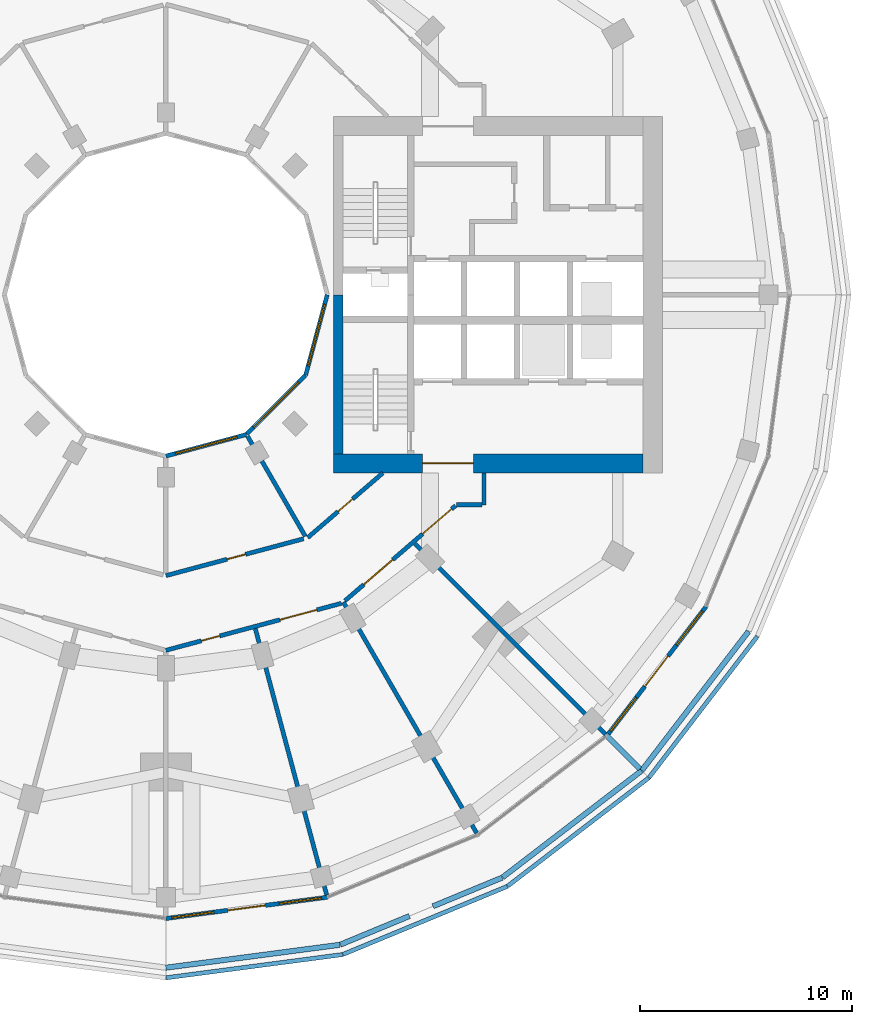
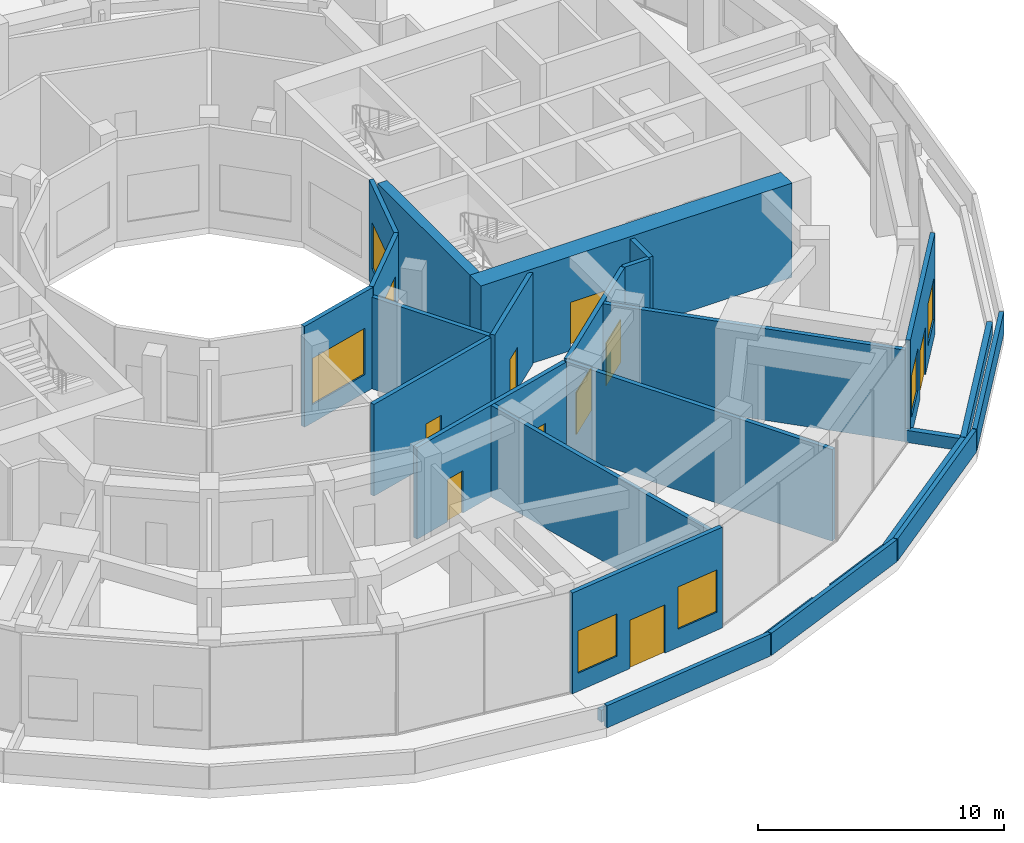
# One storey, part 13 of 19: 27 walls, 9 doors, 7 windows, 16 openings.
"""IFC4 building model written with IfcOpenShell, lengths in metres."""

from ifc_helpers import new_model, si_unit, direction, frame, frame_2d, origin, place, context, subcontext, project, spatial, rectangle, extrude, material, layer, layer_set, type_object, element, fill, save


model = new_model("IFC4")

# Units and contexts
model_context = context("Model", 3, precision=1e-05, world=origin(), true_north=direction((0.0, 1.0)))
body_context = subcontext(model_context, "Body", "Model", "MODEL_VIEW")
ifc_project = project(units=[si_unit("LENGTHUNIT", "METRE"), si_unit("AREAUNIT", "SQUARE_METRE"), si_unit("VOLUMEUNIT", "CUBIC_METRE"), si_unit("PLANEANGLEUNIT", "RADIAN"), si_unit("MASSUNIT", "GRAM", prefix="KILO")], contexts=[model_context])

# Site, building, storey
site_placement = place(None, origin())
site = spatial("IfcSite", under=ifc_project, at=site_placement, CompositionType="ELEMENT")
building_placement = place(site_placement, origin())
building = spatial("IfcBuilding", under=site, at=building_placement, Name="Torre Brocal", CompositionType="ELEMENT")
storey_placement = place(building_placement, frame((0.0, 0.0, 23.800048828125)))
storey = spatial("IfcBuildingStorey", under=building, at=storey_placement, Name="L04", CompositionType="ELEMENT", Elevation=23.800048828125)

# Wall
ifc_material_1 = material(Name="Concrete C80", Category="concrete")
ifc_layer_1 = layer(ifc_material_1, 0.449951171875)
ifc_layer_set_1 = layer_set([ifc_layer_1], Name="Concrete C80")
wall_type_1 = type_object("IfcWallType", Name="CORE WALL 450 C80", PredefinedType="SHEAR", material=ifc_layer_set_1)
wall_1_placement = place(storey_placement, frame((88.125, 67.5, 0.0), z_axis=(0.0, 0.0, 1.0), x_axis=(0.0, 1.0, 0.0)))
element("IfcWall", 1, at=wall_1_placement, inside=storey, type_object=wall_type_1, Name="Wall CW450-80", PredefinedType="SHEAR", context=body_context, shape_type="SweptSolid", body=[
    extrude(rectangle(XDim=7.5, YDim=0.449951171875, at=frame_2d((3.75, 0.0))), origin(), (0.0, 0.0, 1.0), 4.679931640625),
])

# Wall, opening, door
ifc_material_2 = material(Name="Concrete C80", Category="concrete")
ifc_layer_2 = layer(ifc_material_2, 0.89990234375)
ifc_layer_set_2 = layer_set([ifc_layer_2], Name="Concrete C80")
wall_type_2 = type_object("IfcWallType", Name="CORE WALL 900 C80", PredefinedType="SHEAR", material=ifc_layer_set_2)
wall_2_placement = place(storey_placement, frame((87.89990234375, 67.050048828125, 0.0), z_axis=(0.0, 0.0, 1.0), x_axis=(1.0, 0.0, 0.0)))
wall_2 = element("IfcWall", 2, at=wall_2_placement, inside=storey, type_object=wall_type_2, Name="Wall CW900-80", PredefinedType="SHEAR", context=body_context, shape_type="SweptSolid", body=[
    extrude(rectangle(XDim=14.60009765625, YDim=0.89990234375, at=frame_2d((7.300048828125, 0.0))), origin(), (0.0, 0.0, 1.0), 4.679931640625),
])
opening_1_placement = place(wall_2_placement, frame((4.199951171875, 0.0, 0.0)))
opening_1 = element("IfcOpeningElement", 3, at=opening_1_placement, cuts=wall_2, Name="Opening E-D27", PredefinedType="OPENING", context=body_context, shape_type="SweptSolid", body=[
    extrude(rectangle(XDim=2.39990234375, YDim=2.39990234375, at=frame_2d((1.199951171875, 1.199951171875))), frame((0.0, 0.4599609375, 0.0), z_axis=(0.0, -1.0, 0.0), x_axis=(1.0, 0.0, 0.0)), (0.0, 0.0, 1.0), 0.919921875),
])
ifc_material_3 = material(Name="Steel A653", Category="steel")
door_type_1 = type_object("IfcDoorType", Name="DOUBLE FIRE DOOR FD90 2400X2400", OperationType="DOUBLE_DOOR_SINGLE_SWING", PredefinedType="DOOR", material=ifc_material_3)
door_1_placement = place(opening_1_placement, origin())
door_1 = element("IfcDoor", 4, at=door_1_placement, inside=storey, type_object=door_type_1, Name="Door E-D27", OperationType="DOUBLE_DOOR_SINGLE_SWING", OverallHeight=2.39990234375, OverallWidth=2.39990234375, PredefinedType="DOOR", context=body_context, shape_type="SweptSolid", body=[
    extrude(rectangle(XDim=2.39990234375, YDim=2.39990234375, at=frame_2d((1.199951171875, 1.199951171875))), frame((0.0, 0.02490234375, 0.0), z_axis=(0.0, -1.0, 0.0), x_axis=(1.0, 0.0, 0.0)), (0.0, 0.0, 1.0), 0.050048828125),
])
fill(opening_1, door_1)

# Wall, openings, windows, door
ifc_material_4 = material(Name="Concrete C40", Category="concrete")
ifc_layer_3 = layer(ifc_material_4, 0.199951171875)
ifc_layer_set_3 = layer_set([ifc_layer_3], Name="Concrete C40")
wall_type_3 = type_object("IfcWallType", Name="EXTERNAL WALL 200", PredefinedType="NOTDEFINED", material=ifc_layer_set_3)
wall_3_placement = place(storey_placement, frame((80.0, 45.600830078125, 0.0), z_axis=(0.0, 0.0, 1.0), x_axis=(0.991445739805, 0.130519519698, 0.0)))
wall_3 = element("IfcWall", 5, at=wall_3_placement, inside=storey, type_object=wall_type_3, Name="EXTERNAL WALL", PredefinedType="NOTDEFINED", context=body_context, shape_type="SweptSolid", body=[
    extrude(rectangle(XDim=7.6748046875, YDim=0.199951171875, at=frame_2d((3.83740234375, 0.0))), origin(), (0.0, 0.0, 1.0), 5.0),
])
opening_2_placement = place(wall_3_placement, frame((0.279052734375, 0.0, 0.89990234375)))
opening_2 = element("IfcOpeningElement", 6, at=opening_2_placement, cuts=wall_3, Name="Opening W8", PredefinedType="OPENING", context=body_context, shape_type="SweptSolid", body=[
    extrude(rectangle(XDim=2.0, YDim=2.10009765625, at=frame_2d((1.0, 1.050048828125))), frame((0.0, 0.10986328125, 0.0), z_axis=(0.0, -1.0, 0.0), x_axis=(1.0, 0.0, 0.0)), (0.0, 0.0, 1.0), 0.219970703125),
])
opening_3_placement = place(wall_3_placement, frame((2.937255859375, 0.0, 0.0)))
opening_3 = element("IfcOpeningElement", 7, at=opening_3_placement, cuts=wall_3, Name="Opening L04-E07", PredefinedType="OPENING", context=body_context, shape_type="SweptSolid", body=[
    extrude(rectangle(XDim=1.800048828125, YDim=2.39990234375, at=frame_2d((0.89990234375, 1.199951171875))), frame((0.0, 0.10986328125, 0.0), z_axis=(0.0, -1.0, 0.0), x_axis=(1.0, 0.0, 0.0)), (0.0, 0.0, 1.0), 0.219970703125),
])
opening_4_placement = place(wall_3_placement, frame((5.3955078125, 0.0, 0.89990234375)))
opening_4 = element("IfcOpeningElement", 8, at=opening_4_placement, cuts=wall_3, Name="Opening W8", PredefinedType="OPENING", context=body_context, shape_type="SweptSolid", body=[
    extrude(rectangle(XDim=2.0, YDim=2.10009765625, at=frame_2d((1.0, 1.050048828125))), frame((0.0, 0.10986328125, 0.0), z_axis=(0.0, -1.0, 0.0), x_axis=(1.0, 0.0, 0.0)), (0.0, 0.0, 1.0), 0.219970703125),
])
ifc_material_5 = material(Name="Aluminium and glass", Category="aluminium")
window_type_1 = type_object("IfcWindowType", Name="PODIUM WINDOW 2000X2100", PartitioningType="SINGLE_PANEL", PredefinedType="WINDOW", material=ifc_material_5)
window_1_placement = place(opening_2_placement, origin())
window_1 = element("IfcWindow", 9, at=window_1_placement, inside=storey, type_object=window_type_1, Name="PODIUM WINDOW 2000X2100", OverallHeight=2.10009765625, OverallWidth=2.0, PartitioningType="SINGLE_PANEL", PredefinedType="WINDOW", context=body_context, shape_type="SweptSolid", body=[
    extrude(rectangle(XDim=2.0, YDim=2.10009765625, at=frame_2d((1.0, 1.050048828125))), frame((0.0, 0.030029296875, 0.0), z_axis=(0.0, -1.0, 0.0), x_axis=(1.0, 0.0, 0.0)), (0.0, 0.0, 1.0), 0.06005859375),
])
fill(opening_2, window_1)
window_2_placement = place(opening_4_placement, origin())
window_2 = element("IfcWindow", 10, at=window_2_placement, inside=storey, type_object=window_type_1, Name="PODIUM WINDOW 2000X2100", OverallHeight=2.10009765625, OverallWidth=2.0, PartitioningType="SINGLE_PANEL", PredefinedType="WINDOW", context=body_context, shape_type="SweptSolid", body=[
    extrude(rectangle(XDim=2.0, YDim=2.10009765625, at=frame_2d((1.0, 1.050048828125))), frame((0.0, 0.030029296875, 0.0), z_axis=(0.0, -1.0, 0.0), x_axis=(1.0, 0.0, 0.0)), (0.0, 0.0, 1.0), 0.06005859375),
])
fill(opening_4, window_2)
ifc_material_6 = material(Name="Aluminium and glass", Category="aluminium")
door_type_2 = type_object("IfcDoorType", Name="TERRACE DOUBLE DOOR 1800X2400", OperationType="DOUBLE_DOOR_SINGLE_SWING", PredefinedType="DOOR", material=ifc_material_6)
door_2_placement = place(opening_3_placement, frame((1.800048828125, 0.0, 0.0), z_axis=(0.0, 0.0, 1.0), x_axis=(-1.0, 0.0, 0.0)))
door_2 = element("IfcDoor", 11, at=door_2_placement, inside=storey, type_object=door_type_2, Name="DOOR L04-E07", OperationType="DOUBLE_DOOR_SINGLE_SWING", OverallHeight=2.39990234375, OverallWidth=1.800048828125, PredefinedType="DOOR", context=body_context, shape_type="SweptSolid", body=[
    extrude(rectangle(XDim=1.800048828125, YDim=2.39990234375, at=frame_2d((0.89990234375, 1.199951171875))), frame((0.0, 0.02490234375, 0.0), z_axis=(0.0, -1.0, 0.0), x_axis=(1.0, 0.0, 0.0)), (0.0, 0.0, 1.0), 0.050048828125),
])
fill(opening_3, door_2)

wall_4_placement = place(storey_placement, frame((100.788330078125, 54.211669921875, 0.0), z_axis=(0.0, 0.0, 1.0), x_axis=(0.608758724447, 0.793355415567, 0.0)))
wall_4 = element("IfcWall", 12, at=wall_4_placement, inside=storey, type_object=wall_type_3, Name="EXTERNAL WALL", PredefinedType="NOTDEFINED", context=body_context, shape_type="SweptSolid", body=[
    extrude(rectangle(XDim=7.6748046875, YDim=0.199951171875, at=frame_2d((3.83740234375, 0.0))), origin(), (0.0, 0.0, 1.0), 5.0),
])
opening_5_placement = place(wall_4_placement, frame((0.279052734375, 0.0, 0.89990234375)))
opening_5 = element("IfcOpeningElement", 13, at=opening_5_placement, cuts=wall_4, Name="Opening W8", PredefinedType="OPENING", context=body_context, shape_type="SweptSolid", body=[
    extrude(rectangle(XDim=2.0, YDim=2.10009765625, at=frame_2d((1.0, 1.050048828125))), frame((0.0, 0.10986328125, 0.0), z_axis=(0.0, -1.0, 0.0), x_axis=(1.0, 0.0, 0.0)), (0.0, 0.0, 1.0), 0.219970703125),
])
opening_6_placement = place(wall_4_placement, frame((2.937255859375, 0.0, 0.0)))
opening_6 = element("IfcOpeningElement", 14, at=opening_6_placement, cuts=wall_4, Name="Opening L04-E08", PredefinedType="OPENING", context=body_context, shape_type="SweptSolid", body=[
    extrude(rectangle(XDim=1.800048828125, YDim=2.39990234375, at=frame_2d((0.89990234375, 1.199951171875))), frame((0.0, 0.10986328125, 0.0), z_axis=(0.0, -1.0, 0.0), x_axis=(1.0, 0.0, 0.0)), (0.0, 0.0, 1.0), 0.219970703125),
])
opening_7_placement = place(wall_4_placement, frame((5.3955078125, 0.0, 0.89990234375)))
opening_7 = element("IfcOpeningElement", 15, at=opening_7_placement, cuts=wall_4, Name="Opening W8", PredefinedType="OPENING", context=body_context, shape_type="SweptSolid", body=[
    extrude(rectangle(XDim=2.0, YDim=2.10009765625, at=frame_2d((1.0, 1.050048828125))), frame((0.0, 0.10986328125, 0.0), z_axis=(0.0, -1.0, 0.0), x_axis=(1.0, 0.0, 0.0)), (0.0, 0.0, 1.0), 0.219970703125),
])
window_3_placement = place(opening_5_placement, origin())
window_3 = element("IfcWindow", 16, at=window_3_placement, inside=storey, type_object=window_type_1, Name="PODIUM WINDOW 2000X2100", OverallHeight=2.10009765625, OverallWidth=2.0, PartitioningType="SINGLE_PANEL", PredefinedType="WINDOW", context=body_context, shape_type="SweptSolid", body=[
    extrude(rectangle(XDim=2.0, YDim=2.10009765625, at=frame_2d((1.0, 1.050048828125))), frame((0.0, 0.030029296875, 0.0), z_axis=(0.0, -1.0, 0.0), x_axis=(1.0, 0.0, 0.0)), (0.0, 0.0, 1.0), 0.06005859375),
])
fill(opening_5, window_3)
window_4_placement = place(opening_7_placement, origin())
window_4 = element("IfcWindow", 17, at=window_4_placement, inside=storey, type_object=window_type_1, Name="PODIUM WINDOW 2000X2100", OverallHeight=2.10009765625, OverallWidth=2.0, PartitioningType="SINGLE_PANEL", PredefinedType="WINDOW", context=body_context, shape_type="SweptSolid", body=[
    extrude(rectangle(XDim=2.0, YDim=2.10009765625, at=frame_2d((1.0, 1.050048828125))), frame((0.0, 0.030029296875, 0.0), z_axis=(0.0, -1.0, 0.0), x_axis=(1.0, 0.0, 0.0)), (0.0, 0.0, 1.0), 0.06005859375),
])
fill(opening_7, window_4)
door_3_placement = place(opening_6_placement, frame((1.800048828125, 0.0, 0.0), z_axis=(0.0, 0.0, 1.0), x_axis=(-1.0, 0.0, 0.0)))
door_3 = element("IfcDoor", 18, at=door_3_placement, inside=storey, type_object=door_type_2, Name="DOOR L04-E08", OperationType="DOUBLE_DOOR_SINGLE_SWING", OverallHeight=2.39990234375, OverallWidth=1.800048828125, PredefinedType="DOOR", context=body_context, shape_type="SweptSolid", body=[
    extrude(rectangle(XDim=1.800048828125, YDim=2.39990234375, at=frame_2d((0.89990234375, 1.199951171875))), frame((0.0, 0.02490234375, 0.0), z_axis=(0.0, -1.0, 0.0), x_axis=(1.0, 0.0, 0.0)), (0.0, 0.0, 1.0), 0.050048828125),
])
fill(opening_6, door_3)

# Walls
ifc_material_7 = material(Name="Concrete C40", Category="concrete")
ifc_layer_4 = layer(ifc_material_7, 0.199951171875)
ifc_layer_set_4 = layer_set([ifc_layer_4], Name="Concrete C40")
wall_type_4 = type_object("IfcWallType", Name="PARAPET WALL 200 THICK 1100 HIGH 4", PredefinedType="PARAPET", material=ifc_layer_set_4)
for number, where, z_axis, x_axis, name in (
    (19, (107.875732421875, 58.890869140625, 0.0), (0.0, 0.0, 1.0), (-0.60876547779, -0.793350233536, 0.0), "PARAPET WALL 3"),
    (20, (102.756591796875, 52.22509765625, 0.0), (0.0, 0.0, 1.0), (-0.793350233536, -0.60876547779, 0.0), "PARAPET WALL 4"),
):
    element("IfcWall", number, at=place(storey_placement, frame(where, z_axis=z_axis, x_axis=x_axis)), inside=storey, type_object=wall_type_4, Name=name, PredefinedType="PARAPET", context=body_context, shape_type="SweptSolid", body=[
        extrude(rectangle(XDim=8.37890625, YDim=0.199951171875, at=frame_2d((4.189453125, 0.0))), origin(), (0.0, 0.0, 1.0), 1.099853515625),
    ])
wall_5_placement = place(storey_placement, frame((96.08642578125, 47.111083984375, 0.0), z_axis=(0.0, 0.0, 1.0), x_axis=(-0.923884368379, -0.382671757338, 0.0)))
element("IfcWall", 21, at=wall_5_placement, inside=storey, type_object=wall_type_4, Name="PARAPET WALL 5", PredefinedType="PARAPET", context=body_context, shape_type="SweptSolid", body=[
    extrude(rectangle(XDim=8.378662109375, YDim=0.199951171875, at=frame_2d((4.189453125, 0.0))), origin(), (0.0, 0.0, 1.0), 1.099853515625),
])
wall_6_placement = place(storey_placement, frame((88.3203125, 43.89794921875, 0.0), z_axis=(0.0, 0.0, 1.0), x_axis=(-0.991443879237, -0.13053365207, 0.0)))
element("IfcWall", 22, at=wall_6_placement, inside=storey, type_object=wall_type_4, Name="PARAPET WALL 6", PredefinedType="PARAPET", context=body_context, shape_type="SweptSolid", body=[
    extrude(rectangle(XDim=8.379150390625, YDim=0.199951171875, at=frame_2d((4.189453125, 0.0))), origin(), (0.0, 0.0, 1.0), 1.099853515625),
])

# Wall, openings, doors
ifc_material_8 = material(Name="Gypsum board", Category="Gypsum")
ifc_layer_5 = layer(ifc_material_8, 0.199951171875)
ifc_layer_set_5 = layer_set([ifc_layer_5], Name="Gypsum board")
wall_type_5 = type_object("IfcWallType", Name="PARTITION 200 EI60", PredefinedType="PARTITIONING", material=ifc_layer_set_5)
wall_7_placement = place(storey_placement, frame((80.0, 58.240234375, 0.0), z_axis=(0.0, 0.0, 1.0), x_axis=(0.965945381016, 0.258746054836, 0.0)))
wall_7 = element("IfcWall", 23, at=wall_7_placement, inside=storey, type_object=wall_type_5, Name="CORRIDOR WALL", PredefinedType="PARTITIONING", context=body_context, shape_type="SweptSolid", body=[
    extrude(rectangle(XDim=8.568359375, YDim=0.199951171875, at=frame_2d((4.2841796875, 0.0))), origin(), (0.0, 0.0, 1.0), 4.550048828125),
])
opening_8_placement = place(wall_7_placement, frame((5.563232421875, 0.0, 0.0)))
opening_8 = element("IfcOpeningElement", 24, at=opening_8_placement, cuts=wall_7, Name="Opening PD4-D14", PredefinedType="OPENING", context=body_context, shape_type="SweptSolid", body=[
    extrude(rectangle(XDim=1.800048828125, YDim=2.10009765625, at=frame_2d((0.89990234375, 1.050048828125))), frame((0.0, 0.10986328125, 0.0), z_axis=(0.0, -1.0, 0.0), x_axis=(1.0, 0.0, 0.0)), (0.0, 0.0, 1.0), 0.219970703125),
])
opening_9_placement = place(wall_7_placement, frame((1.728759765625, 0.0, 0.0)))
opening_9 = element("IfcOpeningElement", 25, at=opening_9_placement, cuts=wall_7, Name="Opening PD4-D15", PredefinedType="OPENING", context=body_context, shape_type="SweptSolid", body=[
    extrude(rectangle(XDim=0.89990234375, YDim=2.10009765625, at=frame_2d((0.449951171875, 1.050048828125))), frame((0.0, 0.10986328125, 0.0), z_axis=(0.0, -1.0, 0.0), x_axis=(1.0, 0.0, 0.0)), (0.0, 0.0, 1.0), 0.219970703125),
])
ifc_material_9 = material(Name="Timber", Category="wood")
door_type_3 = type_object("IfcDoorType", Name="DOUBLE DOOR 1800X2100", OperationType="DOUBLE_DOOR_SINGLE_SWING", PredefinedType="DOOR", material=ifc_material_9)
door_4_placement = place(opening_8_placement, frame((1.800048828125, 0.0, 0.0), z_axis=(0.0, 0.0, 1.0), x_axis=(-1.0, 0.0, 0.0)))
door_4 = element("IfcDoor", 26, at=door_4_placement, inside=storey, type_object=door_type_3, Name="PD4-D14", OperationType="DOUBLE_DOOR_SINGLE_SWING", OverallHeight=2.10009765625, OverallWidth=1.800048828125, PredefinedType="DOOR", context=body_context, shape_type="SweptSolid", body=[
    extrude(rectangle(XDim=1.800048828125, YDim=2.10009765625, at=frame_2d((0.89990234375, 1.050048828125))), frame((0.0, 0.02490234375, 0.0), z_axis=(0.0, -1.0, 0.0), x_axis=(1.0, 0.0, 0.0)), (0.0, 0.0, 1.0), 0.050048828125),
])
fill(opening_8, door_4)
ifc_material_10 = material(Name="Timber", Category="wood")
door_type_4 = type_object("IfcDoorType", Name="ROOM DOOR 900X2100", OperationType="SINGLE_SWING_LEFT", PredefinedType="DOOR", material=ifc_material_10)
door_5_placement = place(opening_9_placement, frame((0.89990234375, 0.0, 0.0), z_axis=(0.0, 0.0, 1.0), x_axis=(-1.0, 0.0, 0.0)))
door_5 = element("IfcDoor", 27, at=door_5_placement, inside=storey, type_object=door_type_4, Name="PD4-D15", OperationType="SINGLE_SWING_LEFT", OverallHeight=2.10009765625, OverallWidth=0.89990234375, PredefinedType="DOOR", context=body_context, shape_type="SweptSolid", body=[
    extrude(rectangle(XDim=0.89990234375, YDim=2.10009765625, at=frame_2d((0.449951171875, 1.050048828125))), frame((0.0, 0.02490234375, 0.0), z_axis=(0.0, -1.0, 0.0), x_axis=(1.0, 0.0, 0.0)), (0.0, 0.0, 1.0), 0.050048828125),
])
fill(opening_9, door_5)

# Wall, opening, door
wall_8_placement = place(storey_placement, frame((80.0, 61.760009765625, 0.0), z_axis=(0.0, 0.0, 1.0), x_axis=(0.965932810031, 0.258792980017, 0.0)))
wall_8 = element("IfcWall", 28, at=wall_8_placement, inside=storey, type_object=wall_type_5, Name="CORRIDOR WALL", PredefinedType="PARTITIONING", context=body_context, shape_type="SweptSolid", body=[
    extrude(rectangle(XDim=6.720703125, YDim=0.199951171875, at=frame_2d((3.3603515625, 0.0))), origin(), (0.0, 0.0, 1.0), 4.550048828125),
])
opening_10_placement = place(wall_8_placement, frame((2.986572265625, 0.0, 0.0)))
opening_10 = element("IfcOpeningElement", 29, at=opening_10_placement, cuts=wall_8, Name="Opening PD4-D21", PredefinedType="OPENING", context=body_context, shape_type="SweptSolid", body=[
    extrude(rectangle(XDim=0.89990234375, YDim=2.10009765625, at=frame_2d((0.449951171875, 1.050048828125))), frame((0.0, 0.10986328125, 0.0), z_axis=(0.0, -1.0, 0.0), x_axis=(1.0, 0.0, 0.0)), (0.0, 0.0, 1.0), 0.219970703125),
])
door_6_placement = place(opening_10_placement, origin())
door_6 = element("IfcDoor", 30, at=door_6_placement, inside=storey, type_object=door_type_4, Name="PD4-D21", OperationType="SINGLE_SWING_RIGHT", OverallHeight=2.10009765625, OverallWidth=0.89990234375, PredefinedType="DOOR", context=body_context, shape_type="SweptSolid", body=[
    extrude(rectangle(XDim=0.89990234375, YDim=2.10009765625, at=frame_2d((0.449951171875, 1.050048828125))), frame((0.0, 0.02490234375, 0.0), z_axis=(0.0, -1.0, 0.0), x_axis=(1.0, 0.0, 0.0)), (0.0, 0.0, 1.0), 0.050048828125),
])
fill(opening_10, door_6)

# Walls
wall_9_placement = place(storey_placement, frame((83.84912109375, 68.3330078125, 0.0), z_axis=(0.0, 0.0, 1.0), x_axis=(0.500006734102, -0.866021515814, 0.0)))
element("IfcWall", 31, at=wall_9_placement, inside=storey, type_object=wall_type_5, Name="SERVICE ROOM WALL", PredefinedType="PARTITIONING", context=body_context, shape_type="SweptSolid", body=[
    extrude(rectangle(XDim=5.45166015625, YDim=0.199951171875, at=frame_2d((2.725830078125, 0.0))), origin(), (0.0, 0.0, 1.0), 4.550048828125),
])
wall_10_placement = place(storey_placement, frame((84.216064453125, 59.26611328125, 0.0), z_axis=(0.0, 0.0, 1.0), x_axis=(0.258822388938, -0.965924930305, 0.0)))
element("IfcWall", 32, at=wall_10_placement, inside=storey, type_object=wall_type_5, Name="PARTY PARTITION", PredefinedType="PARTITIONING", context=body_context, shape_type="SweptSolid", body=[
    extrude(rectangle(XDim=13.0087890625, YDim=0.199951171875, at=frame_2d((6.50439453125, 0.0))), origin(), (0.0, 0.0, 1.0), 4.550048828125),
])

# Wall, opening, door
wall_11_placement = place(storey_placement, frame((86.68505859375, 63.551025390625, 0.0), z_axis=(0.0, 0.0, 1.0), x_axis=(0.758049900748, 0.652196556244, 0.0)))
wall_11 = element("IfcWall", 33, at=wall_11_placement, inside=storey, type_object=wall_type_5, Name="CORRIDOR WALL", PredefinedType="PARTITIONING", context=body_context, shape_type="SweptSolid", body=[
    extrude(rectangle(XDim=4.675048828125, YDim=0.199951171875, at=frame_2d((2.33740234375, 0.0))), origin(), (0.0, 0.0, 1.0), 4.550048828125),
])
opening_11_placement = place(wall_11_placement, frame((1.887451171875, 0.0, 0.0)))
opening_11 = element("IfcOpeningElement", 34, at=opening_11_placement, cuts=wall_11, Name="Opening PD4-D20", PredefinedType="OPENING", context=body_context, shape_type="SweptSolid", body=[
    extrude(rectangle(XDim=0.89990234375, YDim=2.10009765625, at=frame_2d((0.449951171875, 1.050048828125))), frame((0.0, 0.10986328125, 0.0), z_axis=(0.0, -1.0, 0.0), x_axis=(1.0, 0.0, 0.0)), (0.0, 0.0, 1.0), 0.219970703125),
])
door_7_placement = place(opening_11_placement, origin())
door_7 = element("IfcDoor", 35, at=door_7_placement, inside=storey, type_object=door_type_4, Name="PD4-D20", OperationType="SINGLE_SWING_RIGHT", OverallHeight=2.10009765625, OverallWidth=0.89990234375, PredefinedType="DOOR", context=body_context, shape_type="SweptSolid", body=[
    extrude(rectangle(XDim=0.89990234375, YDim=2.10009765625, at=frame_2d((0.449951171875, 1.050048828125))), frame((0.0, 0.02490234375, 0.0), z_axis=(0.0, -1.0, 0.0), x_axis=(1.0, 0.0, 0.0)), (0.0, 0.0, 1.0), 0.050048828125),
])
fill(opening_11, door_7)

# Wall, openings, doors
wall_12_placement = place(storey_placement, frame((88.436279296875, 60.572509765625, 0.0), z_axis=(0.0, 0.0, 1.0), x_axis=(0.758186248639, 0.652038045189, 0.0)))
wall_12 = element("IfcWall", 36, at=wall_12_placement, inside=storey, type_object=wall_type_5, Name="CORRIDOR WALL", PredefinedType="PARTITIONING", context=body_context, shape_type="SweptSolid", body=[
    extrude(rectangle(XDim=6.881591796875, YDim=0.199951171875, at=frame_2d((3.44091796875, 0.0))), origin(), (0.0, 0.0, 1.0), 4.550048828125),
])
opening_12_placement = place(wall_12_placement, frame((4.83544921875, 0.0, 0.0)))
opening_12 = element("IfcOpeningElement", 37, at=opening_12_placement, cuts=wall_12, Name="Opening PD4-D12", PredefinedType="OPENING", context=body_context, shape_type="SweptSolid", body=[
    extrude(rectangle(XDim=1.800048828125, YDim=2.10009765625, at=frame_2d((0.89990234375, 1.050048828125))), frame((0.0, 0.10986328125, 0.0), z_axis=(0.0, -1.0, 0.0), x_axis=(1.0, 0.0, 0.0)), (0.0, 0.0, 1.0), 0.219970703125),
])
opening_13_placement = place(wall_12_placement, frame((1.17724609375, 0.0, 0.0)))
opening_13 = element("IfcOpeningElement", 38, at=opening_13_placement, cuts=wall_12, Name="Opening PD4-D13", PredefinedType="OPENING", context=body_context, shape_type="SweptSolid", body=[
    extrude(rectangle(XDim=1.800048828125, YDim=2.10009765625, at=frame_2d((0.89990234375, 1.050048828125))), frame((0.0, 0.10986328125, 0.0), z_axis=(0.0, -1.0, 0.0), x_axis=(1.0, 0.0, 0.0)), (0.0, 0.0, 1.0), 0.219970703125),
])
door_8_placement = place(opening_12_placement, frame((1.800048828125, 0.0, 0.0), z_axis=(0.0, 0.0, 1.0), x_axis=(-1.0, 0.0, 0.0)))
door_8 = element("IfcDoor", 39, at=door_8_placement, inside=storey, type_object=door_type_3, Name="PD4-D12", OperationType="DOUBLE_DOOR_SINGLE_SWING", OverallHeight=2.10009765625, OverallWidth=1.800048828125, PredefinedType="DOOR", context=body_context, shape_type="SweptSolid", body=[
    extrude(rectangle(XDim=1.800048828125, YDim=2.10009765625, at=frame_2d((0.89990234375, 1.050048828125))), frame((0.0, 0.02490234375, 0.0), z_axis=(0.0, -1.0, 0.0), x_axis=(1.0, 0.0, 0.0)), (0.0, 0.0, 1.0), 0.050048828125),
])
fill(opening_12, door_8)
door_9_placement = place(opening_13_placement, frame((1.800048828125, 0.0, 0.0), z_axis=(0.0, 0.0, 1.0), x_axis=(-1.0, 0.0, 0.0)))
door_9 = element("IfcDoor", 40, at=door_9_placement, inside=storey, type_object=door_type_3, Name="PD4-D13", OperationType="DOUBLE_DOOR_SINGLE_SWING", OverallHeight=2.10009765625, OverallWidth=1.800048828125, PredefinedType="DOOR", context=body_context, shape_type="SweptSolid", body=[
    extrude(rectangle(XDim=1.800048828125, YDim=2.10009765625, at=frame_2d((0.89990234375, 1.050048828125))), frame((0.0, 0.02490234375, 0.0), z_axis=(0.0, -1.0, 0.0), x_axis=(1.0, 0.0, 0.0)), (0.0, 0.0, 1.0), 0.050048828125),
])
fill(opening_13, door_9)

# Walls
wall_13_placement = place(storey_placement, frame((88.365234375, 60.510986328125, 0.0), z_axis=(0.0, 0.0, 1.0), x_axis=(0.499998247179, -0.866026415774, 0.0)))
element("IfcWall", 41, at=wall_13_placement, inside=storey, type_object=wall_type_5, Name="PARTY PARTITION", PredefinedType="PARTITIONING", context=body_context, shape_type="SweptSolid", body=[
    extrude(rectangle(XDim=12.56689453125, YDim=0.199951171875, at=frame_2d((6.283447265625, 0.0))), origin(), (0.0, 0.0, 1.0), 4.550048828125),
])
wall_14_placement = place(storey_placement, frame((91.73486328125, 63.26513671875, 0.0), z_axis=(0.0, 0.0, 1.0), x_axis=(0.707106781187, -0.707106781187, 0.0)))
element("IfcWall", 42, at=wall_14_placement, inside=storey, type_object=wall_type_5, Name="PARTY PARTITION", PredefinedType="PARTITIONING", context=body_context, shape_type="SweptSolid", body=[
    extrude(rectangle(XDim=12.70166015625, YDim=0.199951171875, at=frame_2d((6.350830078125, 0.0))), origin(), (0.0, 0.0, 1.0), 4.550048828125),
])
wall_15_placement = place(storey_placement, frame((93.697998046875, 65.10009765625, 0.0), z_axis=(0.0, 0.0, 1.0), x_axis=(1.0, 0.0, 0.0)))
element("IfcWall", 43, at=wall_15_placement, inside=storey, type_object=wall_type_5, Name="CORRIDOR WALL", PredefinedType="PARTITIONING", context=body_context, shape_type="SweptSolid", body=[
    extrude(rectangle(XDim=1.201904296875, YDim=0.199951171875, at=frame_2d((0.60107421875, 0.0))), origin(), (0.0, 0.0, 1.0), 4.550048828125),
])
wall_16_placement = place(storey_placement, frame((95.0, 65.10009765625, 0.0), z_axis=(0.0, 0.0, 1.0), x_axis=(0.0, 1.0, 0.0)))
element("IfcWall", 44, at=wall_16_placement, inside=storey, type_object=wall_type_5, Name="CORRIDOR WALL", PredefinedType="PARTITIONING", context=body_context, shape_type="SweptSolid", body=[
    extrude(rectangle(XDim=1.4990234375, YDim=0.199951171875, at=frame_2d((0.74951171875, 0.0))), origin(), (0.0, 0.0, 1.0), 4.550048828125),
])
ifc_material_11 = material(Name="Concrete C35", Category="concrete")
ifc_layer_6 = layer(ifc_material_11, 0.25)
ifc_layer_set_6 = layer_set([ifc_layer_6], Name="Concrete C35")
wall_type_6 = type_object("IfcWallType", Name="PLANTER WALL 250 THICK 600 HIGH 4", PredefinedType="USERDEFINED", material=ifc_layer_set_6)
wall_17_placement = place(storey_placement, frame((102.4287109375, 52.5712890625, 0.0), z_axis=(0.0, 0.0, 1.0), x_axis=(-0.793350471445, -0.608765167744, 0.0)))
element("IfcWall", 45, at=wall_17_placement, inside=storey, type_object=wall_type_6, Name="PLANTER", ObjectType="PLANTER", PredefinedType="USERDEFINED", context=body_context, shape_type="SweptSolid", body=[
    extrude(rectangle(XDim=8.263916015625, YDim=0.25, at=frame_2d((4.1318359375, 0.0))), origin(), (0.0, 0.0, 1.0), 0.599853515625),
])
for number, where, z_axis, x_axis, name in (
    (46, (95.84423828125, 47.524169921875, 0.0), (0.0, 0.0, 1.0), (-0.923882561297, -0.382676120147, 0.0), "PLANTER"),
    (47, (91.480224609375, 45.716552734375, 0.0), (0.0, 0.0, 1.0), (-0.923892706888, -0.382651625058, 0.0), "PLANTER"),
):
    element("IfcWall", number, at=place(storey_placement, frame(where, z_axis=z_axis, x_axis=x_axis)), inside=storey, type_object=wall_type_6, Name=name, ObjectType="PLANTER", PredefinedType="USERDEFINED", context=body_context, shape_type="SweptSolid", body=[
        extrude(rectangle(XDim=3.523681640625, YDim=0.25, at=frame_2d((1.76171875, 0.0))), origin(), (0.0, 0.0, 1.0), 0.599853515625),
    ])
wall_18_placement = place(storey_placement, frame((88.193115234375, 44.359619140625, 0.0), z_axis=(0.0, 0.0, 1.0), x_axis=(-0.991445343726, -0.130522528341, 0.0)))
element("IfcWall", 48, at=wall_18_placement, inside=storey, type_object=wall_type_6, Name="PLANTER", ObjectType="PLANTER", PredefinedType="USERDEFINED", context=body_context, shape_type="SweptSolid", body=[
    extrude(rectangle(XDim=8.263916015625, YDim=0.25, at=frame_2d((4.1318359375, 0.0))), origin(), (0.0, 0.0, 1.0), 0.599853515625),
])
wall_19_placement = place(storey_placement, frame((107.45947265625, 59.12744140625, 0.0), z_axis=(0.0, 0.0, 1.0), x_axis=(-0.608778532401, -0.793340216104, 0.0)))
element("IfcWall", 49, at=wall_19_placement, inside=storey, type_object=wall_type_6, Name="PLANTER", ObjectType="PLANTER", PredefinedType="USERDEFINED", context=body_context, shape_type="SweptSolid", body=[
    extrude(rectangle(XDim=8.255615234375, YDim=0.25, at=frame_2d((4.1279296875, 0.0))), origin(), (0.0, 0.0, 1.0), 0.599853515625),
])
wall_20_placement = place(storey_placement, frame((102.34033203125, 52.65966796875, 0.0), z_axis=(0.0, 0.0, 1.0), x_axis=(-0.707106781187, 0.707106781187, 0.0)))
element("IfcWall", 50, at=wall_20_placement, inside=storey, type_object=wall_type_6, Name="PLANTER", ObjectType="PLANTER", PredefinedType="USERDEFINED", context=body_context, shape_type="SweptSolid", body=[
    extrude(rectangle(XDim=2.295654296875, YDim=0.25, at=frame_2d((1.14794921875, 0.0))), origin(), (0.0, 0.0, 1.0), 0.599853515625),
])

# Wall, opening, window
ifc_material_12 = material(Name="Concrete C40", Category="concrete")
ifc_layer_7 = layer(ifc_material_12, 0.199951171875)
ifc_layer_set_7 = layer_set([ifc_layer_7], Name="Concrete C40")
wall_type_7 = type_object("IfcWallType", Name="WELL FACADE WALL 200", PredefinedType="NOTDEFINED", material=ifc_layer_set_7)
wall_21_placement = place(storey_placement, frame((80.0, 67.396484375, 0.0), z_axis=(0.0, 0.0, 1.0), x_axis=(0.965933654434, 0.258789828301, 0.0)))
wall_21 = element("IfcWall", 51, at=wall_21_placement, inside=storey, type_object=wall_type_7, Name="WELL FACADE WALL", PredefinedType="NOTDEFINED", context=body_context, shape_type="SweptSolid", body=[
    extrude(rectangle(XDim=3.935791015625, YDim=0.199951171875, at=frame_2d((1.9677734375, 0.0))), origin(), (0.0, 0.0, 1.0), 5.0),
])
opening_14_placement = place(wall_21_placement, frame((0.468017578125, 0.0, 0.89990234375)))
opening_14 = element("IfcOpeningElement", 52, at=opening_14_placement, cuts=wall_21, Name="Opening W1", PredefinedType="OPENING", context=body_context, shape_type="SweptSolid", body=[
    extrude(rectangle(XDim=3.0, YDim=2.300048828125, at=frame_2d((1.5, 1.14990234375))), frame((0.0, 0.10986328125, 0.0), z_axis=(0.0, -1.0, 0.0), x_axis=(1.0, 0.0, 0.0)), (0.0, 0.0, 1.0), 0.219970703125),
])
ifc_material_13 = material(Name="Aluminium and glass", Category="aluminium")
window_type_2 = type_object("IfcWindowType", Name="WELL WINDOW 3000X2300", PartitioningType="SINGLE_PANEL", PredefinedType="WINDOW", material=ifc_material_13)
window_5_placement = place(opening_14_placement, origin())
window_5 = element("IfcWindow", 53, at=window_5_placement, inside=storey, type_object=window_type_2, Name="WELL WINDOW 3000X2300", OverallHeight=2.300048828125, OverallWidth=3.0, PartitioningType="SINGLE_PANEL", PredefinedType="WINDOW", context=body_context, shape_type="SweptSolid", body=[
    extrude(rectangle(XDim=3.0, YDim=2.300048828125, at=frame_2d((1.5, 1.14990234375))), frame((0.0, 0.030029296875, 0.0), z_axis=(0.0, -1.0, 0.0), x_axis=(1.0, 0.0, 0.0)), (0.0, 0.0, 1.0), 0.06005859375),
])
fill(opening_14, window_5)

wall_22_placement = place(storey_placement, frame((83.8017578125, 68.4150390625, 0.0), z_axis=(0.0, 0.0, 1.0), x_axis=(0.707106781187, 0.707106781187, 0.0)))
wall_22 = element("IfcWall", 54, at=wall_22_placement, inside=storey, type_object=wall_type_7, Name="WELL FACADE WALL", PredefinedType="NOTDEFINED", context=body_context, shape_type="SweptSolid", body=[
    extrude(rectangle(XDim=3.93603515625, YDim=0.199951171875, at=frame_2d((1.968017578125, 0.0))), origin(), (0.0, 0.0, 1.0), 5.0),
])
opening_15_placement = place(wall_22_placement, frame((0.468017578125, 0.0, 0.89990234375)))
opening_15 = element("IfcOpeningElement", 55, at=opening_15_placement, cuts=wall_22, Name="Opening W1", PredefinedType="OPENING", context=body_context, shape_type="SweptSolid", body=[
    extrude(rectangle(XDim=3.0, YDim=2.300048828125, at=frame_2d((1.5, 1.14990234375))), frame((0.0, 0.10986328125, 0.0), z_axis=(0.0, -1.0, 0.0), x_axis=(1.0, 0.0, 0.0)), (0.0, 0.0, 1.0), 0.219970703125),
])
window_6_placement = place(opening_15_placement, origin())
window_6 = element("IfcWindow", 56, at=window_6_placement, inside=storey, type_object=window_type_2, Name="WELL WINDOW 3000X2300", OverallHeight=2.300048828125, OverallWidth=3.0, PartitioningType="SINGLE_PANEL", PredefinedType="WINDOW", context=body_context, shape_type="SweptSolid", body=[
    extrude(rectangle(XDim=3.0, YDim=2.300048828125, at=frame_2d((1.5, 1.14990234375))), frame((0.0, 0.030029296875, 0.0), z_axis=(0.0, -1.0, 0.0), x_axis=(1.0, 0.0, 0.0)), (0.0, 0.0, 1.0), 0.06005859375),
])
fill(opening_15, window_6)

wall_23_placement = place(storey_placement, frame((86.5849609375, 71.1982421875, 0.0), z_axis=(0.0, 0.0, 1.0), x_axis=(0.258789828301, 0.965933654434, 0.0)))
wall_23 = element("IfcWall", 57, at=wall_23_placement, inside=storey, type_object=wall_type_7, Name="WELL FACADE WALL", PredefinedType="NOTDEFINED", context=body_context, shape_type="SweptSolid", body=[
    extrude(rectangle(XDim=3.935791015625, YDim=0.199951171875, at=frame_2d((1.9677734375, 0.0))), origin(), (0.0, 0.0, 1.0), 5.0),
])
opening_16_placement = place(wall_23_placement, frame((0.468017578125, 0.0, 0.89990234375)))
opening_16 = element("IfcOpeningElement", 58, at=opening_16_placement, cuts=wall_23, Name="Opening W1", PredefinedType="OPENING", context=body_context, shape_type="SweptSolid", body=[
    extrude(rectangle(XDim=3.0, YDim=2.300048828125, at=frame_2d((1.5, 1.14990234375))), frame((0.0, 0.10986328125, 0.0), z_axis=(0.0, -1.0, 0.0), x_axis=(1.0, 0.0, 0.0)), (0.0, 0.0, 1.0), 0.219970703125),
])
window_7_placement = place(opening_16_placement, origin())
window_7 = element("IfcWindow", 59, at=window_7_placement, inside=storey, type_object=window_type_2, Name="WELL WINDOW 3000X2300", OverallHeight=2.300048828125, OverallWidth=3.0, PartitioningType="SINGLE_PANEL", PredefinedType="WINDOW", context=body_context, shape_type="SweptSolid", body=[
    extrude(rectangle(XDim=3.0, YDim=2.300048828125, at=frame_2d((1.5, 1.14990234375))), frame((0.0, 0.030029296875, 0.0), z_axis=(0.0, -1.0, 0.0), x_axis=(1.0, 0.0, 0.0)), (0.0, 0.0, 1.0), 0.06005859375),
])
fill(opening_16, window_7)

save(model, "model.ifc")
